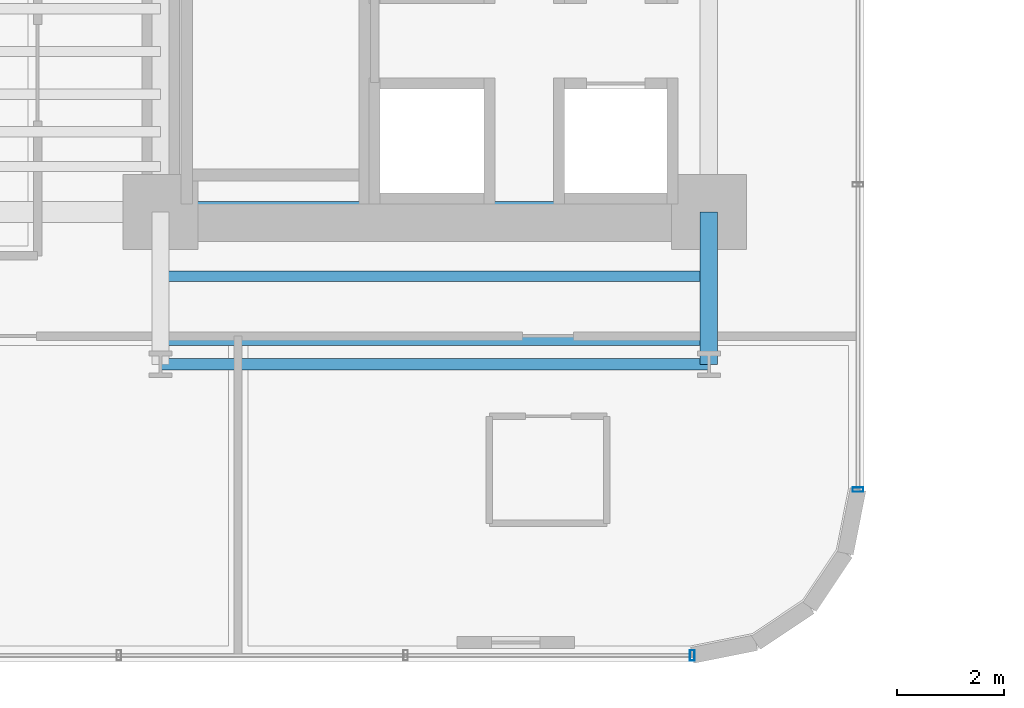
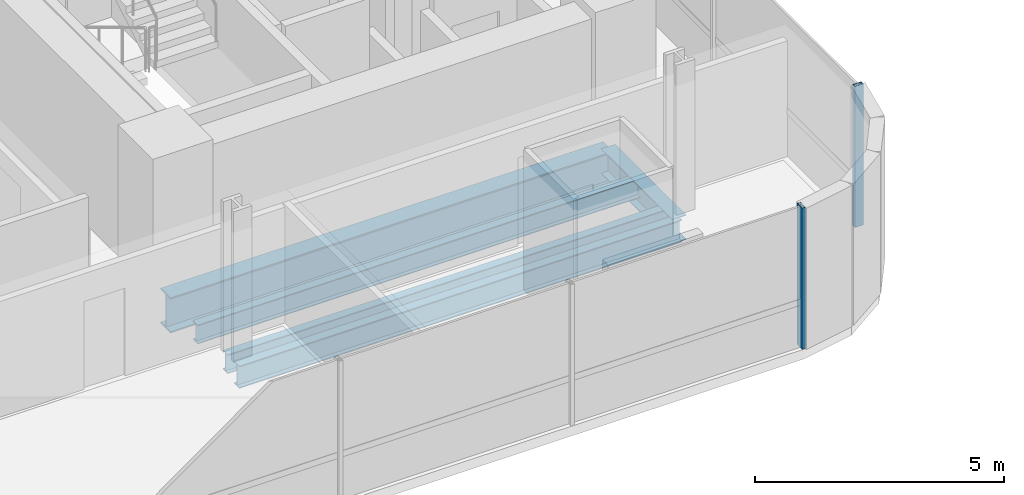
# One storey, part 5 of 40: 5 beams, 2 members, 2 elements without a shape of their own.
"""IFC4 building model written with IfcOpenShell, lengths in metres."""

from ifc_helpers import new_model, si_unit, direction, frame, origin, origin_2d, place, context, subcontext, project, spatial, hollow_rectangle, i_section, extrude, source, transform, mapped, material, material_profile, profile_set, type_object, element, aggregate, save


model = new_model("IFC4")

# Units and contexts
model_context = context("Model", 3, precision=1e-05, world=origin(), true_north=direction((0.0, 1.0)))
body_context = subcontext(model_context, "Body", "Model", "MODEL_VIEW")
ifc_project = project(units=[si_unit("LENGTHUNIT", "METRE"), si_unit("AREAUNIT", "SQUARE_METRE"), si_unit("VOLUMEUNIT", "CUBIC_METRE"), si_unit("PLANEANGLEUNIT", "RADIAN"), si_unit("MASSUNIT", "GRAM", prefix="KILO")], contexts=[model_context])

# Site, building, storey
site_placement = place(None, origin())
site = spatial("IfcSite", under=ifc_project, at=site_placement, CompositionType="ELEMENT")
building_placement = place(site_placement, origin())
building = spatial("IfcBuilding", under=site, at=building_placement, Name="Valdorenza Pilgrim Sanctuary Tower", CompositionType="ELEMENT")
storey_placement = place(building_placement, frame((0.0, 0.0, 92.60009765625)))
storey = spatial("IfcBuildingStorey", under=building, at=storey_placement, Name="L23", CompositionType="ELEMENT", Elevation=92.60009765625)

# Beams
ifc_material_1 = material(Name="Steel ASTM A992 Grade 50", Category="steel")
ifc_material_profile_1 = material_profile(ifc_material_1, i_section(OverallWidth=0.214111328125, OverallDepth=0.549072265625, WebThickness=0.0146484375, FlangeThickness=0.023681640625, at=origin_2d()), Name="W21X93")
ifc_profile_set_1 = profile_set([ifc_material_profile_1], Name="Steel ASTM A992 Grade 50")
beam_type_1 = type_object("IfcBeamType", Name="STR-BM-SPN-W21A", PredefinedType="SPANDREL", material=ifc_profile_set_1)
shared_shape_1 = source(origin(), body_context, "Body", "SweptSolid", [
    extrude(i_section(OverallWidth=0.214111328125, OverallDepth=0.549072265625, WebThickness=0.0146484375, FlangeThickness=0.023681640625, at=origin_2d()), origin(), (0.0, 0.0, 1.0), 10.25),
])
beam_1_placement = place(storey_placement, frame((-22.64990234375, -13.449951171875, -0.5146484375), z_axis=(1.0, 0.0, 0.0), x_axis=(0.0, 1.0, 0.0)))
element("IfcBeam", 1, at=beam_1_placement, inside=storey, type_object=beam_type_1, Name="L23 South Spandrel WA-S-TIE", PredefinedType="SPANDREL", context=body_context, shape_type="MappedRepresentation", body=[
    mapped(shared_shape_1, transform((0.0, 0.0, 0.0), x_axis=(1.0, 0.0, 0.0), y_axis=(0.0, 1.0, 0.0), z_axis=(0.0, 0.0, 1.0), scale=1.0)),
])
ifc_material_profile_2 = material_profile(ifc_material_1, i_section(OverallWidth=0.323974609375, OverallDepth=0.611083984375, WebThickness=0.0126953125, FlangeThickness=0.01904296875, at=origin_2d()), Name="W24X104")
ifc_profile_set_2 = profile_set([ifc_material_profile_2], Name="Steel ASTM A992 Grade 50")
beam_type_2 = type_object("IfcBeamType", Name="STR-BM-GRD-W24B", PredefinedType="BEAM", material=ifc_profile_set_2)
shared_shape_2 = source(origin(), body_context, "Body", "SweptSolid", [
    extrude(i_section(OverallWidth=0.323974609375, OverallDepth=0.611083984375, WebThickness=0.0126953125, FlangeThickness=0.01904296875, at=origin_2d()), origin(), (0.0, 0.0, 1.0), 2.849853515625),
])
beam_2_placement = place(storey_placement, frame((-12.39990234375, -13.449951171875, -0.545654296875), z_axis=(0.0, 1.0, 0.0), x_axis=(-1.0, 0.0, 0.0)))
element("IfcBeam", 2, at=beam_2_placement, inside=storey, type_object=beam_type_2, Name="L23 Floor Girder WA-S-LE", PredefinedType="BEAM", context=body_context, shape_type="MappedRepresentation", body=[
    mapped(shared_shape_2, transform((0.0, 0.0, 0.0), x_axis=(1.0, 0.0, 0.0), y_axis=(0.0, 1.0, 0.0), z_axis=(0.0, 0.0, 1.0), scale=1.0)),
])
ifc_material_profile_3 = material_profile(ifc_material_1, i_section(OverallWidth=0.193115234375, OverallDepth=0.466064453125, WebThickness=0.011474609375, FlangeThickness=0.01904296875, at=origin_2d()), Name="W18X65")
ifc_profile_set_3 = profile_set([ifc_material_profile_3], Name="Steel ASTM A992 Grade 50")
beam_type_3 = type_object("IfcBeamType", Name="STR-BM-JST-W18A", PredefinedType="JOIST", material=ifc_profile_set_3)
shared_shape_3 = source(origin(), body_context, "Body", "SweptSolid", [
    extrude(i_section(OverallWidth=0.193115234375, OverallDepth=0.466064453125, WebThickness=0.011474609375, FlangeThickness=0.01904296875, at=origin_2d()), origin(), (0.0, 0.0, 1.0), 10.25),
])
for number, where, z_axis, x_axis, name in (
    (3, (-22.64990234375, -13.0, -0.47314453125), (1.0, 0.0, 0.0), (0.0, 1.0, 0.0), "L23 Composite Floor Joist JST-WAS-1"),
    (4, (-22.64990234375, -11.800048828125, -0.47314453125), (1.0, 0.0, 0.0), (0.0, 1.0, 0.0), "L23 Composite Floor Joist JST-WAS-2"),
):
    element("IfcBeam", number, at=place(storey_placement, frame(where, z_axis=z_axis, x_axis=x_axis)), inside=storey, type_object=beam_type_3, Name=name, PredefinedType="JOIST", context=body_context, shape_type="MappedRepresentation", body=[
        mapped(shared_shape_3, transform((0.0, 0.0, 0.0), x_axis=(1.0, 0.0, 0.0), y_axis=(0.0, 1.0, 0.0), z_axis=(0.0, 0.0, 1.0), scale=1.0)),
    ])
ifc_material_profile_4 = material_profile(ifc_material_1, i_section(OverallWidth=0.39990234375, OverallDepth=0.862060546875, WebThickness=0.019775390625, FlangeThickness=0.032470703125, at=origin_2d()), Name="W33X221")
ifc_profile_set_4 = profile_set([ifc_material_profile_4], Name="Steel ASTM A992 Grade 50")
beam_type_4 = type_object("IfcBeamType", Name="STR-BM-GRD-W33", PredefinedType="BEAM", material=ifc_profile_set_4)
shared_shape_4 = source(origin(), body_context, "Body", "SweptSolid", [
    extrude(i_section(OverallWidth=0.39990234375, OverallDepth=0.862060546875, WebThickness=0.019775390625, FlangeThickness=0.032470703125, at=origin_2d()), origin(), (0.0, 0.0, 1.0), 10.25),
])
beam_3_placement = place(storey_placement, frame((-22.64990234375, -10.60009765625, -0.671142578125), z_axis=(1.0, 0.0, 0.0), x_axis=(0.0, 1.0, 0.0)))
element("IfcBeam", 5, at=beam_3_placement, inside=storey, type_object=beam_type_4, Name="L23 Floor Girder CA-XC-S1", PredefinedType="BEAM", context=body_context, shape_type="MappedRepresentation", body=[
    mapped(shared_shape_4, transform((0.0, 0.0, 0.0), x_axis=(1.0, 0.0, 0.0), y_axis=(0.0, 1.0, 0.0), z_axis=(0.0, 0.0, 1.0), scale=1.0)),
])

# Curtain wall, member
ifc_material_2 = material(Name="Curtain-wall IGU glazing", Category="glass")
curtain_wall_type = type_object("IfcCurtainWallType", Name="CW-SYS-02", PredefinedType="NOTDEFINED", material=ifc_material_2)
curtain_wall_1_placement = place(storey_placement, origin())
curtain_wall_1 = element("IfcCurtainWall", 6, at=curtain_wall_1_placement, inside=storey, type_object=curtain_wall_type, Name="L23 Curtain Wall CW-L23-1-41", PredefinedType="NOTDEFINED")
ifc_material_3 = material(Name="Anodised aluminium AW-6060", Category="aluminium")
ifc_material_profile_5 = material_profile(ifc_material_3, hollow_rectangle(XDim=0.0849609375, YDim=0.199951171875, WallThickness=0.0048828125, at=origin_2d()), Name="ALU-M 200x85x5")
ifc_profile_set_5 = profile_set([ifc_material_profile_5], Name="Anodised aluminium AW-6060")
member_type = type_object("IfcMemberType", Name="CW-MUL-02", PredefinedType="MULLION", material=ifc_profile_set_5)
shared_shape_5 = source(origin(), body_context, "Body", "SweptSolid", [
    extrude(hollow_rectangle(XDim=0.0849609375, YDim=0.199951171875, WallThickness=0.0048828125, at=origin_2d()), origin(), (0.0, 0.0, 1.0), 3.4599609375),
])
member_1_placement = place(storey_placement, frame((-9.610107421875, -15.789306640625, 0.0), z_axis=(0.0, 0.0, 1.0), x_axis=(0.0, -1.0, 0.0)))
member_1 = element("IfcMember", 7, at=member_1_placement, type_object=member_type, Name="CW-L23-1-41 Mullion 5", PredefinedType="MULLION", context=body_context, shape_type="MappedRepresentation", body=[
    mapped(shared_shape_5, transform((0.0, 0.0, 0.0), x_axis=(1.0, 0.0, 0.0), y_axis=(0.0, 1.0, 0.0), z_axis=(0.0, 0.0, 1.0), scale=1.0)),
])
aggregate(curtain_wall_1, [member_1])

curtain_wall_2_placement = place(storey_placement, origin())
curtain_wall_2 = element("IfcCurtainWall", 8, at=curtain_wall_2_placement, inside=storey, type_object=curtain_wall_type, Name="L23 Curtain Wall CW-L23-1-46", PredefinedType="NOTDEFINED")
member_2_placement = place(storey_placement, frame((-12.710693359375, -18.889892578125, 0.0), z_axis=(0.0, 0.0, 1.0), x_axis=(-1.0, 0.0, 0.0)))
member_2 = element("IfcMember", 9, at=member_2_placement, type_object=member_type, Name="CW-L23-1-46 Mullion 1", PredefinedType="MULLION", context=body_context, shape_type="MappedRepresentation", body=[
    mapped(shared_shape_5, transform((0.0, 0.0, 0.0), x_axis=(1.0, 0.0, 0.0), y_axis=(0.0, 1.0, 0.0), z_axis=(0.0, 0.0, 1.0), scale=1.0)),
])
aggregate(curtain_wall_2, [member_2])

save(model, "model.ifc")
